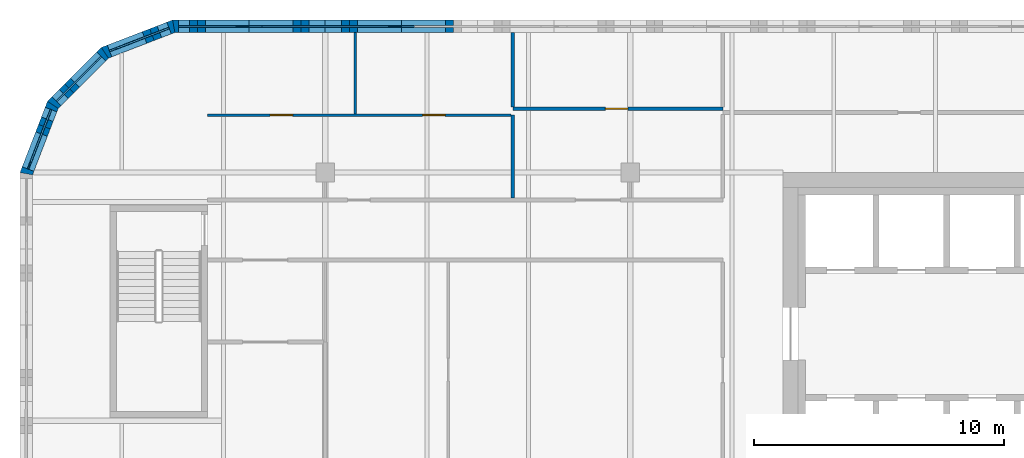
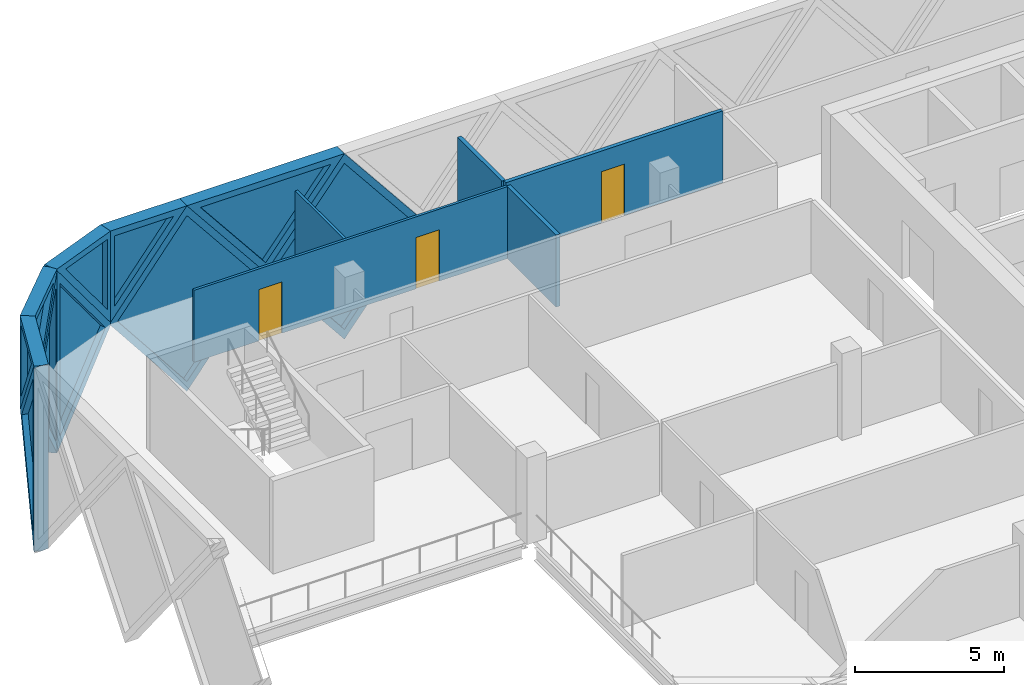
# One storey, part 10 of 15: 15 walls, 10 plates, 3 doors, 13 openings.
"""IFC4 building model written with IfcOpenShell, lengths in metres."""

from ifc_helpers import new_model, si_unit, direction, frame, frame_2d, origin, place, context, subcontext, project, spatial, polyline, rectangle, outline, extrude, faceted_brep, source, transform, mapped, material, layer, layer_set, type_object, element, fill, save


model = new_model("IFC4")

# Units and contexts
model_context = context("Model", 3, precision=1e-05, world=origin(), true_north=direction((0.0, 1.0)))
body_context = subcontext(model_context, "Body", "Model", "MODEL_VIEW")
ifc_project = project(units=[si_unit("LENGTHUNIT", "METRE"), si_unit("AREAUNIT", "SQUARE_METRE"), si_unit("VOLUMEUNIT", "CUBIC_METRE"), si_unit("PLANEANGLEUNIT", "RADIAN"), si_unit("MASSUNIT", "GRAM", prefix="KILO")], contexts=[model_context])

# Site, building, storey
site_placement = place(None, origin())
site = spatial("IfcSite", under=ifc_project, at=site_placement, CompositionType="ELEMENT")
building_placement = place(site_placement, origin())
building = spatial("IfcBuilding", under=site, at=building_placement, Name="Tessera Gate Towers", CompositionType="ELEMENT")
storey_placement = place(building_placement, frame((0.0, 0.0, 189.60009765625)))
storey = spatial("IfcBuildingStorey", under=building, at=storey_placement, Name="L47", CompositionType="ELEMENT", Elevation=189.60009765625)

# Wall, openings, doors
ifc_material_1 = material(Name="Gypsum board on steel studs", Category="steel")
ifc_layer_1 = layer(ifc_material_1, 0.10009765625)
ifc_layer_set_1 = layer_set([ifc_layer_1], Name="PARTITION 100")
wall_type_1 = type_object("IfcWallType", Name="PARTITION 100", PredefinedType="PARTITIONING", material=ifc_layer_set_1)
wall_1_placement = place(storey_placement, frame((7.5, 51.10009765625, 0.0), z_axis=(0.0, 0.0, 1.0), x_axis=(1.0, 0.0, 0.0)))
wall_1 = element("IfcWall", 1, at=wall_1_placement, inside=storey, type_object=wall_type_1, Name="T1-L47-PW-047", PredefinedType="PARTITIONING", context=body_context, shape_type="SweptSolid", body=[
    extrude(rectangle(XDim=12.1240234375, YDim=0.10009765625, at=frame_2d((6.06201171875, 0.0))), origin(), (0.0, 0.0, 1.0), 2.947021484375),
])
shared_shape_1 = source(origin(), body_context, "Body", "SweptSolid", [
    extrude(rectangle(XDim=0.89990234375, YDim=2.10009765625, at=frame_2d((0.449951171875, 1.050048828125))), frame((0.0, 0.06005859375, 0.0), z_axis=(0.0, -1.0, 0.0), x_axis=(1.0, 0.0, 0.0)), (0.0, 0.0, 1.0), 0.1201171875),
])
opening_1_placement = place(wall_1_placement, frame((2.5, 0.0, 0.0)))
opening_1 = element("IfcOpeningElement", 2, at=opening_1_placement, cuts=wall_1, Name="Opening D190-A17-03", PredefinedType="OPENING", context=body_context, shape_type="MappedRepresentation", body=[
    mapped(shared_shape_1, transform((0.0, 0.0, 0.0), scale=1.0)),
])
opening_2_placement = place(wall_1_placement, frame((8.59375, 0.0, 0.0)))
opening_2 = element("IfcOpeningElement", 3, at=opening_2_placement, cuts=wall_1, Name="Opening D190-A17-06", PredefinedType="OPENING", context=body_context, shape_type="MappedRepresentation", body=[
    mapped(shared_shape_1, transform((0.0, 0.0, 0.0), scale=1.0)),
])
ifc_material_2 = material(Name="Timber door leaf in steel frame", Category="steel")
door_type = type_object("IfcDoorType", Name="INTERNAL DOOR 900 NOT RATED", OperationType="NOTDEFINED", PredefinedType="DOOR", material=ifc_material_2)
shared_shape_2 = source(origin(), body_context, "Body", "SweptSolid", [
    extrude(rectangle(XDim=0.89990234375, YDim=2.10009765625, at=frame_2d((0.449951171875, 1.050048828125))), frame((0.0, 0.02490234375, 0.0), z_axis=(0.0, -1.0, 0.0), x_axis=(1.0, 0.0, 0.0)), (0.0, 0.0, 1.0), 0.050048828125),
])
door_1_placement = place(opening_1_placement, origin())
door_1 = element("IfcDoor", 4, at=door_1_placement, inside=storey, type_object=door_type, Name="T1-L47-PD-011", OperationType="SINGLE_SWING_LEFT", OverallHeight=2.10009765625, OverallWidth=0.89990234375, PredefinedType="DOOR", context=body_context, shape_type="MappedRepresentation", body=[
    mapped(shared_shape_2, transform((0.0, 0.0, 0.0), scale=1.0)),
])
fill(opening_1, door_1)
door_2_placement = place(opening_2_placement, origin())
door_2 = element("IfcDoor", 5, at=door_2_placement, inside=storey, type_object=door_type, Name="T1-L47-PD-017", OperationType="SINGLE_SWING_LEFT", OverallHeight=2.10009765625, OverallWidth=0.89990234375, PredefinedType="DOOR", context=body_context, shape_type="MappedRepresentation", body=[
    mapped(shared_shape_2, transform((0.0, 0.0, 0.0), scale=1.0)),
])
fill(opening_2, door_2)

# Walls
wall_2_placement = place(storey_placement, frame((13.39404296875, 51.15087890625, 0.0), z_axis=(0.0, 0.0, 1.0), x_axis=(0.0, 1.0, 0.0)))
element("IfcWall", 6, at=wall_2_placement, inside=storey, type_object=wall_type_1, Name="T1-L47-PW-048", PredefinedType="PARTITIONING", context=body_context, shape_type="SweptSolid", body=[
    extrude(rectangle(XDim=3.2490234375, YDim=0.10009765625, at=frame_2d((1.62451171875, 0.0))), origin(), (0.0, 0.0, 1.0), 2.947021484375),
])
ifc_material_3 = material(Name="Gypsum board on steel studs, mineral wool", Category="steel")
ifc_layer_2 = layer(ifc_material_3, 0.14990234375)
ifc_layer_set_2 = layer_set([ifc_layer_2], Name="TENANCY WALL 150")
wall_type_2 = type_object("IfcWallType", Name="TENANCY WALL 150", PredefinedType="PARTITIONING", material=ifc_layer_set_2)
wall_3_placement = place(storey_placement, frame((19.699951171875, 47.77587890625, 0.0), z_axis=(0.0, 0.0, 1.0), x_axis=(0.0, 1.0, 0.0)))
element("IfcWall", 7, at=wall_3_placement, inside=storey, type_object=wall_type_2, Name="T1-L47-PW-043", PredefinedType="PARTITIONING", context=body_context, shape_type="SweptSolid", body=[
    extrude(rectangle(XDim=3.32421875, YDim=0.14990234375, at=frame_2d((1.662109375, 0.0))), origin(), (0.0, 0.0, 1.0), 2.947021484375),
])

# Wall, opening, door
wall_4_placement = place(storey_placement, frame((19.699951171875, 51.35009765625, 0.0), z_axis=(0.0, 0.0, 1.0), x_axis=(1.0, 0.0, 0.0)))
wall_4 = element("IfcWall", 8, at=wall_4_placement, inside=storey, type_object=wall_type_2, Name="T1-L47-PW-051", PredefinedType="PARTITIONING", context=body_context, shape_type="SweptSolid", body=[
    extrude(rectangle(XDim=8.400146484375, YDim=0.14990234375, at=frame_2d((4.2001953125, 0.0))), origin(), (0.0, 0.0, 1.0), 2.947021484375),
])
shared_shape_3 = source(origin(), body_context, "Body", "SweptSolid", [
    extrude(rectangle(XDim=0.89990234375, YDim=2.10009765625, at=frame_2d((0.449951171875, 1.050048828125))), frame((0.0, 0.0849609375, 0.0), z_axis=(0.0, -1.0, 0.0), x_axis=(1.0, 0.0, 0.0)), (0.0, 0.0, 1.0), 0.169921875),
])
opening_3_placement = place(wall_4_placement, frame((3.699951171875, 0.0, 0.0)))
opening_3 = element("IfcOpeningElement", 9, at=opening_3_placement, cuts=wall_4, Name="Opening D190-A17-07", PredefinedType="OPENING", context=body_context, shape_type="MappedRepresentation", body=[
    mapped(shared_shape_3, transform((0.0, 0.0, 0.0), scale=1.0)),
])
door_3_placement = place(opening_3_placement, origin())
door_3 = element("IfcDoor", 10, at=door_3_placement, inside=storey, type_object=door_type, Name="T1-L47-PD-019", OperationType="SINGLE_SWING_LEFT", OverallHeight=2.10009765625, OverallWidth=0.89990234375, PredefinedType="DOOR", context=body_context, shape_type="MappedRepresentation", body=[
    mapped(shared_shape_2, transform((0.0, 0.0, 0.0), scale=1.0)),
])
fill(opening_3, door_3)

# Wall
wall_5_placement = place(storey_placement, frame((19.699951171875, 51.426025390625, 0.0), z_axis=(0.0, 0.0, 1.0), x_axis=(0.0, 1.0, 0.0)))
element("IfcWall", 11, at=wall_5_placement, inside=storey, type_object=wall_type_2, Name="T1-L47-PW-052", PredefinedType="PARTITIONING", context=body_context, shape_type="SweptSolid", body=[
    extrude(rectangle(XDim=2.973876953125, YDim=0.14990234375, at=frame_2d((1.48681640625, 0.0))), origin(), (0.0, 0.0, 1.0), 2.947021484375),
])

# Wall, opening, plate
ifc_material_4 = material(Name="Precast concrete C60/75 white", Category="concrete")
ifc_layer_3 = layer(ifc_material_4, 0.5)
ifc_layer_set_3 = layer_set([ifc_layer_3], Name="TS1 tessera")
wall_type_3 = type_object("IfcWallType", Name="TS1 tessera", PredefinedType="SOLIDWALL", material=ifc_layer_set_3)
shared_shape_4 = source(origin(), body_context, "Body", "SweptSolid", [
    extrude(outline(polyline([(3.050048828125, 0.0), (6.10009765625, 3.800048828125), (3.050048828125, 7.599853515625), (0.0, 3.800048828125), (3.050048828125, 0.0)])), frame((0.0, 0.25, 0.0), z_axis=(0.0, -1.0, 0.0), x_axis=(1.0, 0.0, 0.0)), (0.0, 0.0, 1.0), 0.5),
])
wall_6_placement = place(storey_placement, frame((18.300048828125, 54.64990234375, -3.800048828125), z_axis=(0.0, 0.0, 1.0), x_axis=(-1.0, 0.0, 0.0)))
wall_6 = element("IfcWall", 12, at=wall_6_placement, inside=storey, type_object=wall_type_3, Name="Precast tessera T1 TS1-0844", PredefinedType="SOLIDWALL", context=body_context, shape_type="MappedRepresentation", body=[
    mapped(shared_shape_4, transform((0.0, 0.0, 0.0), scale=1.0)),
])
shared_shape_5 = source(origin(), body_context, "Body", "SweptSolid", [
    extrude(outline(polyline([(3.050048828125, 0.3994140625), (5.779541015625, 3.800048828125), (3.050048828125, 7.200439453125), (0.320556640625, 3.800048828125), (3.050048828125, 0.3994140625)])), frame((0.0, 0.260009765625, 0.0), z_axis=(0.0, -1.0, 0.0), x_axis=(1.0, 0.0, 0.0)), (0.0, 0.0, 1.0), 0.52001953125),
])
opening_4_placement = place(wall_6_placement, origin())
opening_4 = element("IfcOpeningElement", 13, at=opening_4_placement, cuts=wall_6, Name="Opening T1-PL2-1716", PredefinedType="OPENING", context=body_context, shape_type="MappedRepresentation", body=[
    mapped(shared_shape_5, transform((0.0, 0.0, 0.0), scale=1.0)),
])
ifc_material_5 = material(Name="Low-e laminated glass", Category="glass")
ifc_layer_4 = layer(ifc_material_5, 0.06005859375)
ifc_layer_set_4 = layer_set([ifc_layer_4], Name="PL2 rhombic pane")
plate_type_1 = type_object("IfcPlateType", Name="PL2 rhombic pane", PredefinedType="SHEET", material=ifc_layer_set_4)
shared_shape_6 = source(origin(), body_context, "Body", "SweptSolid", [
    extrude(outline(polyline([(3.050048828125, 0.3994140625), (5.779541015625, 3.800048828125), (3.050048828125, 7.200439453125), (0.320556640625, 3.800048828125), (3.050048828125, 0.3994140625)])), frame((0.0, 0.030029296875, 0.0), z_axis=(0.0, -1.0, 0.0), x_axis=(1.0, 0.0, 0.0)), (0.0, 0.0, 1.0), 0.06005859375),
])
plate_1_placement = place(opening_4_placement, origin())
plate_1 = element("IfcPlate", 14, at=plate_1_placement, inside=storey, type_object=plate_type_1, Name="Glass pane T1 PL2-1716", PredefinedType="SHEET", context=body_context, shape_type="MappedRepresentation", body=[
    mapped(shared_shape_6, transform((0.0, 0.0, 0.0), scale=1.0)),
])
fill(opening_4, plate_1)

shared_shape_7 = source(origin(), body_context, "Body", "Brep", [
    faceted_brep([(3.050048828125, -0.25, 0.0), (6.053466796875, -0.25, 3.800048828125), (3.050048828125, -0.25, 7.599853515625), (0.0, -0.25, 3.800048828125), (0.0, 0.25, 3.800048828125), (3.050048828125, 0.25, 7.599853515625), (6.0068359375, 0.25, 3.85888671875), (6.0068359375, 0.25, 3.7412109375), (3.050048828125, 0.25, 0.0), (6.053466796875, 0.0, 3.800048828125)], [[[0, 1, 2, 3]], [[4, 5, 6, 7, 8]], [[8, 7, 9, 1, 0]], [[6, 5, 2, 1, 9]], [[5, 4, 3, 2]], [[4, 8, 0, 3]], [[7, 6, 9]]]),
])
wall_7_placement = place(storey_placement, frame((12.199951171875, 54.64990234375, -3.800048828125), z_axis=(0.0, 0.0, 1.0), x_axis=(-1.0, 0.0, 0.0)))
wall_7 = element("IfcWall", 15, at=wall_7_placement, inside=storey, type_object=wall_type_3, Name="Precast tessera T1 TS1-0845", PredefinedType="SOLIDWALL", context=body_context, shape_type="MappedRepresentation", body=[
    mapped(shared_shape_7, transform((0.0, 0.0, 0.0), scale=1.0)),
])
shared_shape_8 = source(origin(), body_context, "Body", "SweptSolid", [
    extrude(outline(polyline([(3.048583984375, 0.401123046875), (5.73486328125, 3.800048828125), (3.048583984375, 7.19873046875), (0.320556640625, 3.800048828125), (3.048583984375, 0.401123046875)])), frame((0.0, 0.260009765625, 0.0), z_axis=(0.0, -1.0, 0.0), x_axis=(1.0, 0.0, 0.0)), (0.0, 0.0, 1.0), 0.52001953125),
])
opening_5_placement = place(wall_7_placement, origin())
opening_5 = element("IfcOpeningElement", 16, at=opening_5_placement, cuts=wall_7, Name="Opening T1-PL2-1717", PredefinedType="OPENING", context=body_context, shape_type="MappedRepresentation", body=[
    mapped(shared_shape_8, transform((0.0, 0.0, 0.0), scale=1.0)),
])
shared_shape_9 = source(origin(), body_context, "Body", "SweptSolid", [
    extrude(outline(polyline([(3.048583984375, 0.401123046875), (5.73486328125, 3.800048828125), (3.048583984375, 7.19873046875), (0.320556640625, 3.800048828125), (3.048583984375, 0.401123046875)])), frame((0.0, 0.030029296875, 0.0), z_axis=(0.0, -1.0, 0.0), x_axis=(1.0, 0.0, 0.0)), (0.0, 0.0, 1.0), 0.06005859375),
])
plate_2_placement = place(opening_5_placement, origin())
plate_2 = element("IfcPlate", 17, at=plate_2_placement, inside=storey, type_object=plate_type_1, Name="Glass pane T1 PL2-1717", PredefinedType="SHEET", context=body_context, shape_type="MappedRepresentation", body=[
    mapped(shared_shape_9, transform((0.0, 0.0, 0.0), scale=1.0)),
])
fill(opening_5, plate_2)

ifc_material_6 = material(Name="Precast concrete C60/75 white", Category="concrete")
ifc_layer_5 = layer(ifc_material_6, 0.5)
ifc_layer_set_5 = layer_set([ifc_layer_5], Name="TS3 corner tessera")
wall_type_4 = type_object("IfcWallType", Name="TS3 corner tessera", PredefinedType="SOLIDWALL", material=ifc_layer_set_5)
shared_shape_10 = source(origin(), body_context, "Body", "Brep", [
    faceted_brep([(2.950439453125, -0.25, 0.0), (3.00341796875, -0.25, 0.068359375), (3.00341796875, -0.25, 7.531494140625), (2.950439453125, -0.25, 7.599853515625), (0.0, -0.25, 3.800048828125), (0.046630859375, 0.25, 3.860107421875), (2.897705078125, 0.25, 7.53173828125), (2.897705078125, 0.25, 0.068115234375), (0.046630859375, 0.25, 3.739990234375), (2.950439453125, 0.00048828125, 0.0), (2.950439453125, 0.00048828125, 7.599853515625), (0.0, 0.0, 3.800048828125)], [[[0, 1, 2, 3, 4]], [[5, 6, 7, 8]], [[1, 0, 9]], [[10, 3, 2]], [[6, 5, 11, 4, 3, 10]], [[8, 7, 9, 0, 4, 11]], [[8, 11, 5]], [[1, 9, 7, 6, 10, 2]]]),
])
wall_8_placement = place(storey_placement, frame((6.146484375, 54.64990234375, -3.800048828125), z_axis=(0.0, 0.0, 1.0), x_axis=(-0.932997369089, -0.359883188373, 0.0)))
wall_8 = element("IfcWall", 18, at=wall_8_placement, inside=storey, type_object=wall_type_4, Name="Precast corner tessera T1 TS3-1089", PredefinedType="SOLIDWALL", context=body_context, shape_type="MappedRepresentation", body=[
    mapped(shared_shape_10, transform((0.0, 0.0, 0.0), scale=1.0)),
])
shared_shape_11 = source(origin(), body_context, "Body", "SweptSolid", [
    extrude(outline(polyline([(2.75048828125, 6.934814453125), (0.31640625, 3.800048828125), (2.75048828125, 0.665283203125), (2.75048828125, 6.934814453125)])), frame((0.0, 0.260009765625, 0.0), z_axis=(0.0, -1.0, 0.0), x_axis=(1.0, 0.0, 0.0)), (0.0, 0.0, 1.0), 0.52001953125),
])
opening_6_placement = place(wall_8_placement, origin())
opening_6 = element("IfcOpeningElement", 19, at=opening_6_placement, cuts=wall_8, Name="Opening T1-PL2-1718", PredefinedType="OPENING", context=body_context, shape_type="MappedRepresentation", body=[
    mapped(shared_shape_11, transform((0.0, 0.0, 0.0), scale=1.0)),
])
shared_shape_12 = source(origin(), body_context, "Body", "SweptSolid", [
    extrude(outline(polyline([(2.75048828125, 6.934814453125), (0.31640625, 3.800048828125), (2.75048828125, 0.665283203125), (2.75048828125, 6.934814453125)])), frame((0.0, 0.030029296875, 0.0), z_axis=(0.0, -1.0, 0.0), x_axis=(1.0, 0.0, 0.0)), (0.0, 0.0, 1.0), 0.06005859375),
])
plate_3_placement = place(opening_6_placement, origin())
plate_3 = element("IfcPlate", 20, at=plate_3_placement, inside=storey, type_object=plate_type_1, Name="Glass pane T1 PL2-1718", PredefinedType="SHEET", context=body_context, shape_type="MappedRepresentation", body=[
    mapped(shared_shape_12, transform((0.0, 0.0, 0.0), scale=1.0)),
])
fill(opening_6, plate_3)

shared_shape_13 = source(origin(), body_context, "Body", "Brep", [
    faceted_brep([(0.052978515625, -0.25, 0.0), (2.9970703125, -0.25, 3.800048828125), (0.052978515625, -0.25, 7.599853515625), (0.0, -0.25, 7.53173828125), (0.0, -0.25, 0.068115234375), (0.10595703125, 0.25, 7.531494140625), (2.944091796875, 0.25, 3.8681640625), (2.944091796875, 0.25, 3.73193359375), (0.10595703125, 0.25, 0.068359375), (2.9970703125, 0.000244140625, 3.800048828125), (0.052978515625, 0.0, 0.0), (0.052978515625, 0.0, 7.599853515625)], [[[0, 1, 2, 3, 4]], [[5, 6, 7, 8]], [[8, 7, 9, 1, 0, 10]], [[6, 5, 11, 2, 1, 9]], [[3, 2, 11]], [[10, 0, 4]], [[8, 10, 4, 3, 11, 5]], [[7, 6, 9]]]),
])
wall_9_placement = place(storey_placement, frame((3.43115234375, 53.62548828125, -3.800048828125), z_axis=(0.0, 0.0, 1.0), x_axis=(-0.707106781187, -0.707106781187, 0.0)))
wall_9 = element("IfcWall", 21, at=wall_9_placement, inside=storey, type_object=wall_type_4, Name="Precast corner tessera T1 TS3-1090", PredefinedType="SOLIDWALL", context=body_context, shape_type="MappedRepresentation", body=[
    mapped(shared_shape_13, transform((0.0, 0.0, 0.0), scale=1.0)),
])
shared_shape_14 = source(origin(), body_context, "Body", "SweptSolid", [
    extrude(outline(polyline([(0.2529296875, 0.666259765625), (2.680908203125, 3.800048828125), (0.2529296875, 6.93359375), (0.2529296875, 0.666259765625)])), frame((0.0, 0.260009765625, 0.0), z_axis=(0.0, -1.0, 0.0), x_axis=(1.0, 0.0, 0.0)), (0.0, 0.0, 1.0), 0.52001953125),
])
opening_7_placement = place(wall_9_placement, origin())
opening_7 = element("IfcOpeningElement", 22, at=opening_7_placement, cuts=wall_9, Name="Opening T1-PL2-1719", PredefinedType="OPENING", context=body_context, shape_type="MappedRepresentation", body=[
    mapped(shared_shape_14, transform((0.0, 0.0, 0.0), scale=1.0)),
])
shared_shape_15 = source(origin(), body_context, "Body", "SweptSolid", [
    extrude(outline(polyline([(0.2529296875, 0.666259765625), (2.680908203125, 3.800048828125), (0.2529296875, 6.93359375), (0.2529296875, 0.666259765625)])), frame((0.0, 0.030029296875, 0.0), z_axis=(0.0, -1.0, 0.0), x_axis=(1.0, 0.0, 0.0)), (0.0, 0.0, 1.0), 0.06005859375),
])
plate_4_placement = place(opening_7_placement, origin())
plate_4 = element("IfcPlate", 23, at=plate_4_placement, inside=storey, type_object=plate_type_1, Name="Glass pane T1 PL2-1719", PredefinedType="SHEET", context=body_context, shape_type="MappedRepresentation", body=[
    mapped(shared_shape_15, transform((0.0, 0.0, 0.0), scale=1.0)),
])
fill(opening_7, plate_4)

shared_shape_16 = source(origin(), body_context, "Body", "Brep", [
    faceted_brep([(2.950439453125, -0.25, 0.0), (2.9970703125, -0.25, 0.05908203125), (2.9970703125, -0.25, 7.540771484375), (2.950439453125, -0.25, 7.599853515625), (0.0, -0.25, 3.800048828125), (0.052978515625, 0.25, 3.8681640625), (2.904052734375, 0.25, 7.5400390625), (2.904052734375, 0.25, 0.059814453125), (0.052978515625, 0.25, 3.73193359375), (2.950439453125, 0.00048828125, 0.0), (2.950439453125, 0.00048828125, 7.599853515625), (0.0, 0.0, 3.800048828125)], [[[0, 1, 2, 3, 4]], [[5, 6, 7, 8]], [[1, 0, 9]], [[10, 3, 2]], [[6, 5, 11, 4, 3, 10]], [[8, 7, 9, 0, 4, 11]], [[8, 11, 5]], [[1, 9, 7, 6, 10, 2]]]),
])
wall_10_placement = place(storey_placement, frame((1.31201171875, 51.50634765625, -3.800048828125), z_axis=(0.0, 0.0, 1.0), x_axis=(-0.359944998003, -0.932973525033, 0.0)))
wall_10 = element("IfcWall", 24, at=wall_10_placement, inside=storey, type_object=wall_type_4, Name="Precast corner tessera T1 TS3-1091", PredefinedType="SOLIDWALL", context=body_context, shape_type="MappedRepresentation", body=[
    mapped(shared_shape_16, transform((0.0, 0.0, 0.0), scale=1.0)),
])
opening_8_placement = place(wall_10_placement, origin())
opening_8 = element("IfcOpeningElement", 25, at=opening_8_placement, cuts=wall_10, Name="Opening T1-PL2-1720", PredefinedType="OPENING", context=body_context, shape_type="MappedRepresentation", body=[
    mapped(shared_shape_11, transform((0.0, 0.0, 0.0), scale=1.0)),
])
plate_5_placement = place(opening_8_placement, origin())
plate_5 = element("IfcPlate", 26, at=plate_5_placement, inside=storey, type_object=plate_type_1, Name="Glass pane T1 PL2-1720", PredefinedType="SHEET", context=body_context, shape_type="MappedRepresentation", body=[
    mapped(shared_shape_12, transform((0.0, 0.0, 0.0), scale=1.0)),
])
fill(opening_8, plate_5)

ifc_material_7 = material(Name="Precast concrete C60/75 white", Category="concrete")
ifc_layer_6 = layer(ifc_material_7, 0.5)
ifc_layer_set_6 = layer_set([ifc_layer_6], Name="TS2 half tessera")
wall_type_5 = type_object("IfcWallType", Name="TS2 half tessera", PredefinedType="SOLIDWALL", material=ifc_layer_set_6)
shared_shape_17 = source(origin(), body_context, "Body", "SweptSolid", [
    extrude(outline(polyline([(3.050048828125, 0.0), (6.10009765625, 3.7998046875), (0.0, 3.7998046875), (3.050048828125, 0.0)])), frame((0.0, 0.25, 0.0), z_axis=(0.0, -1.0, 0.0), x_axis=(1.0, 0.0, 0.0)), (0.0, 0.0, 1.0), 0.5),
])
wall_11_placement = place(storey_placement, frame((15.25, 54.64990234375, 0.0), z_axis=(0.0, 0.0, 1.0), x_axis=(-1.0, 0.0, 0.0)))
wall_11 = element("IfcWall", 27, at=wall_11_placement, inside=storey, type_object=wall_type_5, Name="Precast half tessera T1 TS2-0223", PredefinedType="SOLIDWALL", context=body_context, shape_type="MappedRepresentation", body=[
    mapped(shared_shape_17, transform((0.0, 0.0, 0.0), scale=1.0)),
])
shared_shape_18 = source(origin(), body_context, "Body", "SweptSolid", [
    extrude(outline(polyline([(3.050048828125, 0.3994140625), (5.578857421875, 3.5498046875), (0.521240234375, 3.5498046875), (3.050048828125, 0.3994140625)])), frame((0.0, 0.260009765625, 0.0), z_axis=(0.0, -1.0, 0.0), x_axis=(1.0, 0.0, 0.0)), (0.0, 0.0, 1.0), 0.52001953125),
])
opening_9_placement = place(wall_11_placement, origin())
opening_9 = element("IfcOpeningElement", 28, at=opening_9_placement, cuts=wall_11, Name="Opening T1-PL1-0449", PredefinedType="OPENING", context=body_context, shape_type="MappedRepresentation", body=[
    mapped(shared_shape_18, transform((0.0, 0.0, 0.0), scale=1.0)),
])
ifc_material_8 = material(Name="Low-e laminated glass", Category="glass")
ifc_layer_7 = layer(ifc_material_8, 0.06005859375)
ifc_layer_set_7 = layer_set([ifc_layer_7], Name="PL1 triangular pane")
plate_type_2 = type_object("IfcPlateType", Name="PL1 triangular pane", PredefinedType="SHEET", material=ifc_layer_set_7)
shared_shape_19 = source(origin(), body_context, "Body", "SweptSolid", [
    extrude(outline(polyline([(3.050048828125, 0.3994140625), (5.578857421875, 3.5498046875), (0.521240234375, 3.5498046875), (3.050048828125, 0.3994140625)])), frame((0.0, 0.030029296875, 0.0), z_axis=(0.0, -1.0, 0.0), x_axis=(1.0, 0.0, 0.0)), (0.0, 0.0, 1.0), 0.06005859375),
])
plate_6_placement = place(opening_9_placement, origin())
plate_6 = element("IfcPlate", 29, at=plate_6_placement, inside=storey, type_object=plate_type_2, Name="Glass pane T1 PL1-0449", PredefinedType="SHEET", context=body_context, shape_type="MappedRepresentation", body=[
    mapped(shared_shape_19, transform((0.0, 0.0, 0.0), scale=1.0)),
])
fill(opening_9, plate_6)

shared_shape_20 = source(origin(), body_context, "Body", "Brep", [
    faceted_brep([(3.00341796875, -0.25, 0.0), (3.050048828125, -0.25, 0.06005859375), (3.050048828125, -0.25, 3.7998046875), (0.0, -0.25, 3.7998046875), (0.0, 0.25, 3.7998046875), (2.956787109375, 0.25, 3.7998046875), (2.956787109375, 0.25, 0.058837890625), (3.00341796875, 0.000244140625, 0.0)], [[[0, 1, 2, 3]], [[4, 5, 6]], [[1, 0, 7]], [[5, 4, 3, 2]], [[4, 6, 7, 0, 3]], [[1, 7, 6, 5, 2]]]),
])
wall_12_placement = place(storey_placement, frame((9.14990234375, 54.64990234375, 0.0), z_axis=(0.0, 0.0, 1.0), x_axis=(-1.0, 0.0, 0.0)))
wall_12 = element("IfcWall", 30, at=wall_12_placement, inside=storey, type_object=wall_type_4, Name="Precast corner tessera T1 TS3-1115", PredefinedType="SOLIDWALL", context=body_context, shape_type="MappedRepresentation", body=[
    mapped(shared_shape_20, transform((0.0, 0.0, 0.0), scale=1.0)),
])
shared_shape_21 = source(origin(), body_context, "Body", "SweptSolid", [
    extrude(outline(polyline([(2.803466796875, 3.5498046875), (0.516357421875, 3.5498046875), (2.803466796875, 0.656005859375), (2.803466796875, 3.5498046875)])), frame((0.0, 0.260009765625, 0.0), z_axis=(0.0, -1.0, 0.0), x_axis=(1.0, 0.0, 0.0)), (0.0, 0.0, 1.0), 0.52001953125),
])
opening_10_placement = place(wall_12_placement, origin())
opening_10 = element("IfcOpeningElement", 31, at=opening_10_placement, cuts=wall_12, Name="Opening T1-PL1-0450", PredefinedType="OPENING", context=body_context, shape_type="MappedRepresentation", body=[
    mapped(shared_shape_21, transform((0.0, 0.0, 0.0), scale=1.0)),
])
shared_shape_22 = source(origin(), body_context, "Body", "SweptSolid", [
    extrude(outline(polyline([(2.803466796875, 3.5498046875), (0.516357421875, 3.5498046875), (2.803466796875, 0.656005859375), (2.803466796875, 3.5498046875)])), frame((0.0, 0.030029296875, 0.0), z_axis=(0.0, -1.0, 0.0), x_axis=(1.0, 0.0, 0.0)), (0.0, 0.0, 1.0), 0.06005859375),
])
plate_7_placement = place(opening_10_placement, origin())
plate_7 = element("IfcPlate", 32, at=plate_7_placement, inside=storey, type_object=plate_type_2, Name="Glass pane T1 PL1-0450", PredefinedType="SHEET", context=body_context, shape_type="MappedRepresentation", body=[
    mapped(shared_shape_22, transform((0.0, 0.0, 0.0), scale=1.0)),
])
fill(opening_10, plate_7)

shared_shape_23 = source(origin(), body_context, "Body", "Brep", [
    faceted_brep([(0.046630859375, -0.25, 0.0), (2.9970703125, -0.25, 3.7998046875), (0.0, -0.25, 3.7998046875), (0.0, -0.25, 0.058837890625), (0.09326171875, 0.25, 3.7998046875), (2.9443359375, 0.25, 3.7998046875), (2.9443359375, 0.25, 3.731689453125), (0.09326171875, 0.25, 0.06005859375), (2.9970703125, 0.00048828125, 3.7998046875), (0.046630859375, 0.0, 0.0)], [[[0, 1, 2, 3]], [[4, 5, 6, 7]], [[7, 6, 8, 1, 0, 9]], [[5, 4, 2, 1, 8]], [[9, 0, 3]], [[7, 9, 3, 2, 4]], [[6, 5, 8]]]),
])
wall_13_placement = place(storey_placement, frame((6.18994140625, 54.666748046875, 0.0), z_axis=(0.0, 0.0, 1.0), x_axis=(-0.932990326376, -0.359901446078, 0.0)))
wall_13 = element("IfcWall", 33, at=wall_13_placement, inside=storey, type_object=wall_type_4, Name="Precast corner tessera T1 TS3-1116", PredefinedType="SOLIDWALL", context=body_context, shape_type="MappedRepresentation", body=[
    mapped(shared_shape_23, transform((0.0, 0.0, 0.0), scale=1.0)),
])
shared_shape_24 = source(origin(), body_context, "Body", "SweptSolid", [
    extrude(outline(polyline([(0.24658203125, 0.6650390625), (2.486572265625, 3.5498046875), (0.24658203125, 3.5498046875), (0.24658203125, 0.6650390625)])), frame((0.0, 0.260009765625, 0.0), z_axis=(0.0, -1.0, 0.0), x_axis=(1.0, 0.0, 0.0)), (0.0, 0.0, 1.0), 0.52001953125),
])
opening_11_placement = place(wall_13_placement, origin())
opening_11 = element("IfcOpeningElement", 34, at=opening_11_placement, cuts=wall_13, Name="Opening T1-PL1-0451", PredefinedType="OPENING", context=body_context, shape_type="MappedRepresentation", body=[
    mapped(shared_shape_24, transform((0.0, 0.0, 0.0), scale=1.0)),
])
shared_shape_25 = source(origin(), body_context, "Body", "SweptSolid", [
    extrude(outline(polyline([(0.24658203125, 0.6650390625), (2.486572265625, 3.5498046875), (0.24658203125, 3.5498046875), (0.24658203125, 0.6650390625)])), frame((0.0, 0.030029296875, 0.0), z_axis=(0.0, -1.0, 0.0), x_axis=(1.0, 0.0, 0.0)), (0.0, 0.0, 1.0), 0.06005859375),
])
plate_8_placement = place(opening_11_placement, origin())
plate_8 = element("IfcPlate", 35, at=plate_8_placement, inside=storey, type_object=plate_type_2, Name="Glass pane T1 PL1-0451", PredefinedType="SHEET", context=body_context, shape_type="MappedRepresentation", body=[
    mapped(shared_shape_25, transform((0.0, 0.0, 0.0), scale=1.0)),
])
fill(opening_11, plate_8)

shared_shape_26 = source(origin(), body_context, "Body", "Brep", [
    faceted_brep([(0.052978515625, -0.25, 0.0), (3.00341796875, -0.25, 3.7998046875), (0.0, -0.25, 3.7998046875), (0.0, -0.25, 0.068359375), (0.10595703125, 0.25, 3.7998046875), (2.95703125, 0.25, 3.7998046875), (2.95703125, 0.25, 3.739990234375), (0.10595703125, 0.25, 0.068115234375), (3.00341796875, 0.00048828125, 3.7998046875), (0.052978515625, 0.0, 0.0)], [[[0, 1, 2, 3]], [[4, 5, 6, 7]], [[7, 6, 8, 1, 0, 9]], [[5, 4, 2, 1, 8]], [[9, 0, 3]], [[7, 9, 3, 2, 4]], [[6, 5, 8]]]),
])
wall_14_placement = place(storey_placement, frame((1.3310546875, 51.5556640625, 0.0), z_axis=(0.0, 0.0, 1.0), x_axis=(-0.35992665181, -0.932980602862, 0.0)))
wall_14 = element("IfcWall", 36, at=wall_14_placement, inside=storey, type_object=wall_type_4, Name="Precast corner tessera T1 TS3-1118", PredefinedType="SOLIDWALL", context=body_context, shape_type="MappedRepresentation", body=[
    mapped(shared_shape_26, transform((0.0, 0.0, 0.0), scale=1.0)),
])
shared_shape_27 = source(origin(), body_context, "Body", "SweptSolid", [
    extrude(outline(polyline([(0.2529296875, 0.6650390625), (2.492919921875, 3.5498046875), (0.2529296875, 3.5498046875), (0.2529296875, 0.6650390625)])), frame((0.0, 0.260009765625, 0.0), z_axis=(0.0, -1.0, 0.0), x_axis=(1.0, 0.0, 0.0)), (0.0, 0.0, 1.0), 0.52001953125),
])
opening_12_placement = place(wall_14_placement, origin())
opening_12 = element("IfcOpeningElement", 37, at=opening_12_placement, cuts=wall_14, Name="Opening T1-PL1-0453", PredefinedType="OPENING", context=body_context, shape_type="MappedRepresentation", body=[
    mapped(shared_shape_27, transform((0.0, 0.0, 0.0), scale=1.0)),
])
shared_shape_28 = source(origin(), body_context, "Body", "SweptSolid", [
    extrude(outline(polyline([(0.2529296875, 0.6650390625), (2.492919921875, 3.5498046875), (0.2529296875, 3.5498046875), (0.2529296875, 0.6650390625)])), frame((0.0, 0.030029296875, 0.0), z_axis=(0.0, -1.0, 0.0), x_axis=(1.0, 0.0, 0.0)), (0.0, 0.0, 1.0), 0.06005859375),
])
plate_9_placement = place(opening_12_placement, origin())
plate_9 = element("IfcPlate", 38, at=plate_9_placement, inside=storey, type_object=plate_type_2, Name="Glass pane T1 PL1-0453", PredefinedType="SHEET", context=body_context, shape_type="MappedRepresentation", body=[
    mapped(shared_shape_28, transform((0.0, 0.0, 0.0), scale=1.0)),
])
fill(opening_12, plate_9)

shared_shape_29 = source(origin(), body_context, "Body", "Brep", [
    faceted_brep([(2.944091796875, -0.25, 0.0), (2.9970703125, -0.25, 0.068115234375), (2.9970703125, -0.25, 3.7998046875), (0.0, -0.25, 3.7998046875), (0.052978515625, 0.25, 3.7998046875), (2.89111328125, 0.25, 3.7998046875), (2.89111328125, 0.25, 0.068115234375), (0.052978515625, 0.25, 3.7314453125), (2.944091796875, 0.000244140625, 0.0), (0.0, 0.0, 3.7998046875)], [[[0, 1, 2, 3]], [[4, 5, 6, 7]], [[1, 0, 8]], [[5, 4, 9, 3, 2]], [[7, 6, 8, 0, 3, 9]], [[7, 9, 4]], [[1, 8, 6, 5, 2]]]),
])
wall_15_placement = place(storey_placement, frame((3.393798828125, 53.588134765625, 0.0), z_axis=(0.0, 0.0, 1.0), x_axis=(-0.707106781187, -0.707106781187, 0.0)))
wall_15 = element("IfcWall", 39, at=wall_15_placement, inside=storey, type_object=wall_type_4, Name="Precast corner tessera T1 TS3-1117", PredefinedType="SOLIDWALL", context=body_context, shape_type="MappedRepresentation", body=[
    mapped(shared_shape_29, transform((0.0, 0.0, 0.0), scale=1.0)),
])
shared_shape_30 = source(origin(), body_context, "Body", "SweptSolid", [
    extrude(outline(polyline([(2.744140625, 3.5498046875), (0.510009765625, 3.5498046875), (2.744140625, 0.666259765625), (2.744140625, 3.5498046875)])), frame((0.0, 0.260009765625, 0.0), z_axis=(0.0, -1.0, 0.0), x_axis=(1.0, 0.0, 0.0)), (0.0, 0.0, 1.0), 0.52001953125),
])
opening_13_placement = place(wall_15_placement, origin())
opening_13 = element("IfcOpeningElement", 40, at=opening_13_placement, cuts=wall_15, Name="Opening T1-PL1-0452", PredefinedType="OPENING", context=body_context, shape_type="MappedRepresentation", body=[
    mapped(shared_shape_30, transform((0.0, 0.0, 0.0), scale=1.0)),
])
shared_shape_31 = source(origin(), body_context, "Body", "SweptSolid", [
    extrude(outline(polyline([(2.744140625, 3.5498046875), (0.510009765625, 3.5498046875), (2.744140625, 0.666259765625), (2.744140625, 3.5498046875)])), frame((0.0, 0.030029296875, 0.0), z_axis=(0.0, -1.0, 0.0), x_axis=(1.0, 0.0, 0.0)), (0.0, 0.0, 1.0), 0.06005859375),
])
plate_10_placement = place(opening_13_placement, origin())
plate_10 = element("IfcPlate", 41, at=plate_10_placement, inside=storey, type_object=plate_type_2, Name="Glass pane T1 PL1-0452", PredefinedType="SHEET", context=body_context, shape_type="MappedRepresentation", body=[
    mapped(shared_shape_31, transform((0.0, 0.0, 0.0), scale=1.0)),
])
fill(opening_13, plate_10)

save(model, "model.ifc")
